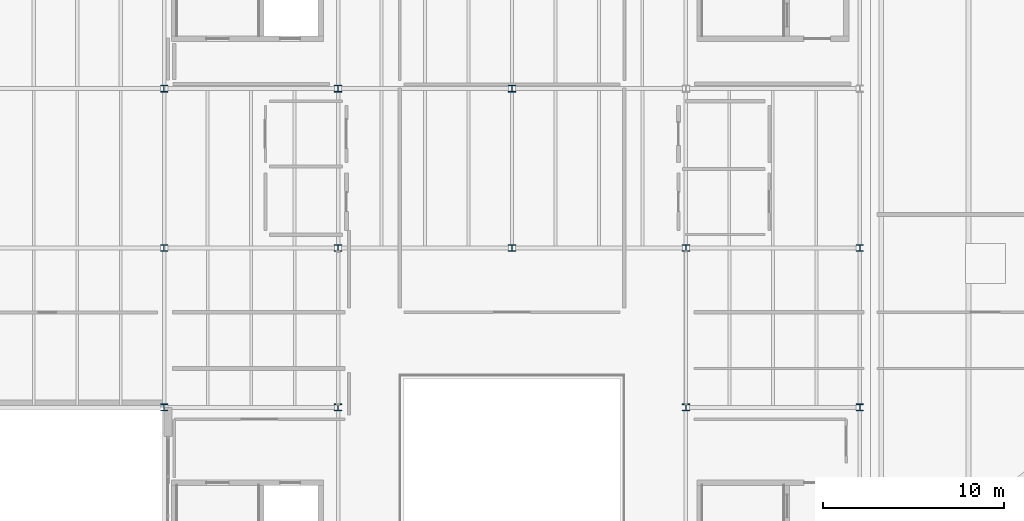
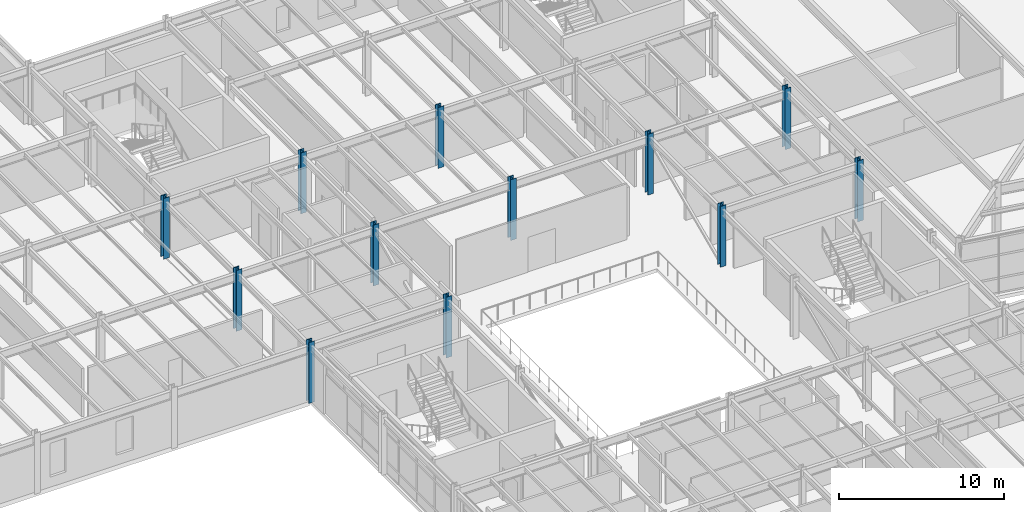
# One storey, part 8 of 88: 12 columns.
"""IFC4 building model written with IfcOpenShell, lengths in metres."""

import ifcopenshell
import ifcopenshell.guid

model = None  # the IFC model being written
_history = None  # IfcOwnerHistory: only IFC2X3 demands one
_inside = {}  # id of a spatial element -> (the spatial element, [elements in it])
_under = {}  # id of a project, library or spatial element -> (it, [spatial elements below it])
_declared = {}  # id of a project -> (the project, [libraries it declares])
_typed = {}  # id of a type object -> (the type object, [elements of that type])
_made_of = {}  # id of a material, layer set ... -> (it, [elements and type objects made of it])


def new_model(schema):
    """Start an empty IFC model of exactly this schema.

    Asked for "IFC4X3", IfcOpenShell would pick the latest addendum, in which some entities
    have other attributes; the version numbers below select the first issue.
    IFC2X3 requires an IfcOwnerHistory on every rooted entity: one is made here for all.
    """
    global model, _history
    if schema == "IFC4X3":
        model = ifcopenshell.file(schema_version=(4, 3, 0, 0))
    else:
        model = ifcopenshell.file(schema=schema)
    _inside.clear()
    _under.clear()
    _declared.clear()
    _typed.clear()
    _made_of.clear()
    _history = None
    if model.schema == "IFC2X3":
        org = make("IfcOrganization", Name="unknown")
        user = make(
            "IfcPersonAndOrganization",
            ThePerson=make("IfcPerson", FamilyName="unknown"),
            TheOrganization=org,
        )
        app = make(
            "IfcApplication",
            ApplicationDeveloper=org,
            Version="unknown",
            ApplicationFullName="unknown",
            ApplicationIdentifier="unknown",
        )
        _history = make(
            "IfcOwnerHistory",
            OwningUser=user,
            OwningApplication=app,
            ChangeAction="ADDED",
            CreationDate=0,
        )
    return model


def make(cls, **values):
    """One entity of the class cls with the attributes given. An attribute that is None is left unset."""
    return model.create_entity(
        cls, **{name: value for name, value in values.items() if value is not None}
    )


def rooted(cls, **values):
    """An entity with a GlobalId (a new one), such as an element, a storey or a relation."""
    return make(cls, GlobalId=ifcopenshell.guid.new(), OwnerHistory=_history, **values)


def si_unit(unit_type, name, prefix=None):
    """IfcSIUnit, for example si_unit("LENGTHUNIT", "METRE", prefix="MILLI")."""
    return make("IfcSIUnit", UnitType=unit_type, Prefix=prefix, Name=name)


def assignment(units):
    """IfcUnitAssignment: the units of a project."""
    return None if units is None else make("IfcUnitAssignment", Units=units)


def point(xyz):
    """IfcCartesianPoint."""
    return None if xyz is None else make("IfcCartesianPoint", Coordinates=xyz)


def direction(xyz):
    """IfcDirection."""
    return None if xyz is None else make("IfcDirection", DirectionRatios=xyz)


def frame(location, z_axis=None, x_axis=None):
    """IfcAxis2Placement3D, a coordinate frame: its origin and axes. An axis left out is left unset."""
    return make(
        "IfcAxis2Placement3D",
        Location=point(location),
        Axis=direction(z_axis),
        RefDirection=direction(x_axis),
    )


def frame_2d(location, x_axis=None):
    """IfcAxis2Placement2D, a coordinate frame in the plane: its origin and x axis."""
    return make(
        "IfcAxis2Placement2D", Location=point(location), RefDirection=direction(x_axis)
    )


def origin():
    """The frame at (0, 0, 0) with its axes left unset."""
    return frame((0.0, 0.0, 0.0))


def origin_2d():
    """The frame at (0, 0) in the plane with its x axis left unset."""
    return frame_2d((0.0, 0.0))


def place(relative_to, where):
    """IfcLocalPlacement: puts the frame where relative to a parent placement (None: the world)."""
    return make(
        "IfcLocalPlacement", PlacementRelTo=relative_to, RelativePlacement=where
    )


def context(
    kind, dimensions, precision=None, world=None, true_north=None, identifier=None
):
    """IfcGeometricRepresentationContext, for example the 3D "Model" context."""
    return make(
        "IfcGeometricRepresentationContext",
        ContextIdentifier=identifier,
        ContextType=kind,
        CoordinateSpaceDimension=dimensions,
        Precision=precision,
        WorldCoordinateSystem=world,
        TrueNorth=true_north,
    )


def subcontext(parent, identifier, kind, view, scale=None):
    """IfcGeometricRepresentationSubContext, for example "Body" below "Model"."""
    return make(
        "IfcGeometricRepresentationSubContext",
        ContextIdentifier=identifier,
        ContextType=kind,
        ParentContext=parent,
        TargetScale=scale,
        TargetView=view,
    )


def project(units=None, contexts=None):
    """IfcProject with its units and contexts."""
    return rooted(
        "IfcProject",
        Name="project",
        RepresentationContexts=contexts,
        UnitsInContext=assignment(units),
    )


def spatial(cls, under=None, at=None, **own):
    """A site, building, storey or space (cls), placed at a placement, below another one or the project."""
    s = rooted(cls, ObjectPlacement=at, **own)
    if under is not None:
        _under.setdefault(under.id(), (under, []))[1].append(s)
    return s


def profile(cls, at=None, kind="AREA", **sizes):
    """A parametric profile (cls). Its sizes go by their IFC names, for example OverallWidth=200.0."""
    return make(cls, ProfileType=kind, Position=at, **sizes)


def i_section(**sizes):
    """IfcIShapeProfileDef."""
    return profile("IfcIShapeProfileDef", **sizes)


def extrude(swept, where, along, depth):
    """IfcExtrudedAreaSolid: the profile swept, set in the frame where, extruded along a direction by depth."""
    return make(
        "IfcExtrudedAreaSolid",
        SweptArea=swept,
        Position=where,
        ExtrudedDirection=direction(along),
        Depth=depth,
    )


def shape(context_of_items, identifier, shape_type, items):
    """IfcShapeRepresentation: the items that make up one representation, for example the "Body"."""
    return make(
        "IfcShapeRepresentation",
        ContextOfItems=context_of_items,
        RepresentationIdentifier=identifier,
        RepresentationType=shape_type,
        Items=items,
    )


def material(Name=None, Category=None):
    """IfcMaterial."""
    return make("IfcMaterial", Name=Name, Category=Category)


def material_profile(
    of_material, cross_section, Name=None, Category=None, Priority=None
):
    """IfcMaterialProfile: a cross section and its material."""
    return make(
        "IfcMaterialProfile",
        Name=Name,
        Material=of_material,
        Profile=cross_section,
        Priority=Priority,
        Category=Category,
    )


def profile_set(profiles, Name=None, composite=None):
    """IfcMaterialProfileSet."""
    return make(
        "IfcMaterialProfileSet",
        Name=Name,
        MaterialProfiles=profiles,
        CompositeProfile=composite,
    )


def made_of(thing, what):
    """Note that an element or type object is made of a material, layer set ...; save() writes the relation."""
    if what is not None:
        _made_of.setdefault(what.id(), (what, []))[1].append(thing)
    return thing


def type_object(cls, material=None, **own):
    """A type object (cls), such as IfcWallType, which elements share."""
    return made_of(rooted(cls, **own), material)


def element(
    cls,
    number,
    at=None,
    inside=None,
    cuts=None,
    type_object=None,
    material=None,
    context=None,
    identifier="Body",
    shape_type=None,
    held_by="IfcProductDefinitionShape",
    body=None,
    shapes=None,
    **own,
):
    """One element of the class cls, such as IfcWall. Its Tag is "e" and its number.

    at: its placement. inside: the storey or other place that contains it. cuts: it is an
    opening in that element (IfcRelVoidsElement). A single representation is given by context,
    identifier, shape_type and body (its items); several are given by shapes. held_by: the class
    of the entity that holds the representations. save() writes the other relations.
    """
    e = rooted(cls, Tag="e%d" % number, ObjectPlacement=at, **own)
    if body is not None:
        shapes = [shape(context, identifier, shape_type, body)]
    if shapes is not None:
        e.Representation = make(held_by, Representations=shapes)
    if inside is not None:
        _inside.setdefault(inside.id(), (inside, []))[1].append(e)
    if cuts is not None:
        rooted(
            "IfcRelVoidsElement", RelatingBuildingElement=cuts, RelatedOpeningElement=e
        )
    if type_object is not None:
        _typed.setdefault(type_object.id(), (type_object, []))[1].append(e)
    return made_of(e, material)


def aggregate(whole, parts):
    """IfcRelAggregates: a whole, such as a stair, and the parts it consists of."""
    return rooted("IfcRelAggregates", RelatingObject=whole, RelatedObjects=parts)


def save(model, path):
    """Write the relations noted so far, then the file.

    IfcRelAggregates (storeys below a building ...), IfcRelContainedInSpatialStructure (elements
    in a storey), IfcRelDefinesByType, IfcRelAssociatesMaterial and IfcRelDeclares: one each for
    every whole, place, type object, material and project.
    """
    for whole, parts in _under.values():
        aggregate(whole, parts)
    for where, things in _inside.values():
        rooted(
            "IfcRelContainedInSpatialStructure",
            RelatedElements=things,
            RelatingStructure=where,
        )
    for kind, things in _typed.values():
        rooted("IfcRelDefinesByType", RelatedObjects=things, RelatingType=kind)
    for what, things in _made_of.values():
        rooted("IfcRelAssociatesMaterial", RelatedObjects=things, RelatingMaterial=what)
    for by, libraries in _declared.values():
        rooted("IfcRelDeclares", RelatingContext=by, RelatedDefinitions=libraries)
    model.write(path)


model = new_model("IFC4")

# Units and contexts
model_context = context("Model", 3, precision=1e-05, world=origin(), true_north=direction((0.0, 1.0)))
body_context = subcontext(model_context, "Body", "Model", "MODEL_VIEW")
ifc_project = project(units=[si_unit("LENGTHUNIT", "METRE"), si_unit("AREAUNIT", "SQUARE_METRE"), si_unit("VOLUMEUNIT", "CUBIC_METRE"), si_unit("PLANEANGLEUNIT", "RADIAN"), si_unit("MASSUNIT", "GRAM", prefix="KILO")], contexts=[model_context])

# Site, building, storey
site_placement = place(None, origin())
site = spatial("IfcSite", under=ifc_project, at=site_placement, CompositionType="ELEMENT")
building_placement = place(site_placement, origin())
building = spatial("IfcBuilding", under=site, at=building_placement, Name="Sarnbrook Museum", CompositionType="ELEMENT")
storey_placement = place(building_placement, frame((0.0, 0.0, 10.10009765625)))
storey = spatial("IfcBuildingStorey", under=building, at=storey_placement, Name="L02", CompositionType="ELEMENT", Elevation=10.10009765625)

# Columns
ifc_material = material(Name="Structural Steel Grade 350L0 (AS/NZS 3678, fy = 340 MPa for 20 < t <= 40 mm)", Category="steel")
ifc_material_profile = material_profile(ifc_material, i_section(OverallWidth=0.39990234375, OverallDepth=0.382080078125, WebThickness=0.02490234375, FlangeThickness=0.035888671875, at=origin_2d()), Name="400WC270")
ifc_profile_set = profile_set([ifc_material_profile], Name="Structural Steel Grade 350L0 (AS/NZS 3678, fy = 340 MPa for 20 < t <= 40 mm)")
column_type = type_object("IfcColumnType", Name="COL-WC400", PredefinedType="COLUMN", material=ifc_profile_set)
for number, where, z_axis, x_axis, name in (
    (1, (90.39990234375, 74.39990234375, 0.0), (0.0, 0.0, 1.0), (1.0, 0.0, 0.0), "Column 10-J L02"),
    (2, (90.39990234375, 83.199951171875, 0.0), (0.0, 0.0, 1.0), (1.0, 0.0, 0.0), "Column 10-K L02"),
    (3, (90.39990234375, 92.0, 0.0), (0.0, 0.0, 1.0), (1.0, 0.0, 0.0), "Column 10-L L02"),
    (4, (100.0, 83.199951171875, 0.0), (0.0, 0.0, 1.0), (1.0, 0.0, 0.0), "Column 11-K L02"),
    (5, (100.0, 92.0, 0.0), (0.0, 0.0, 1.0), (1.0, 0.0, 0.0), "Column 11-L L02"),
    (6, (109.60009765625, 74.39990234375, 0.0), (0.0, 0.0, 1.0), (1.0, 0.0, 0.0), "Column 12-J L02"),
    (7, (109.60009765625, 83.199951171875, 0.0), (0.0, 0.0, 1.0), (1.0, 0.0, 0.0), "Column 12-K L02"),
    (8, (119.199951171875, 74.39990234375, 0.0), (0.0, 0.0, 1.0), (1.0, 0.0, 0.0), "Column 13-J L02"),
    (9, (119.199951171875, 83.199951171875, 0.0), (0.0, 0.0, 1.0), (1.0, 0.0, 0.0), "Column 13-K L02"),
    (10, (80.800048828125, 74.39990234375, 0.0), (0.0, 0.0, 1.0), (1.0, 0.0, 0.0), "Column 9-J L02"),
    (11, (80.800048828125, 83.199951171875, 0.0), (0.0, 0.0, 1.0), (1.0, 0.0, 0.0), "Column 9-K L02"),
    (12, (80.800048828125, 92.0, 0.0), (0.0, 0.0, 1.0), (1.0, 0.0, 0.0), "Column 9-L L02"),
):
    element("IfcColumn", number, at=place(storey_placement, frame(where, z_axis=z_axis, x_axis=x_axis)), inside=storey, type_object=column_type, Name=name, PredefinedType="COLUMN", context=body_context, shape_type="SweptSolid", body=[
        extrude(i_section(OverallWidth=0.39990234375, OverallDepth=0.382080078125, WebThickness=0.02490234375, FlangeThickness=0.035888671875, at=origin_2d()), origin(), (0.0, 0.0, 1.0), 4.5),
    ])

save(model, "model.ifc")
